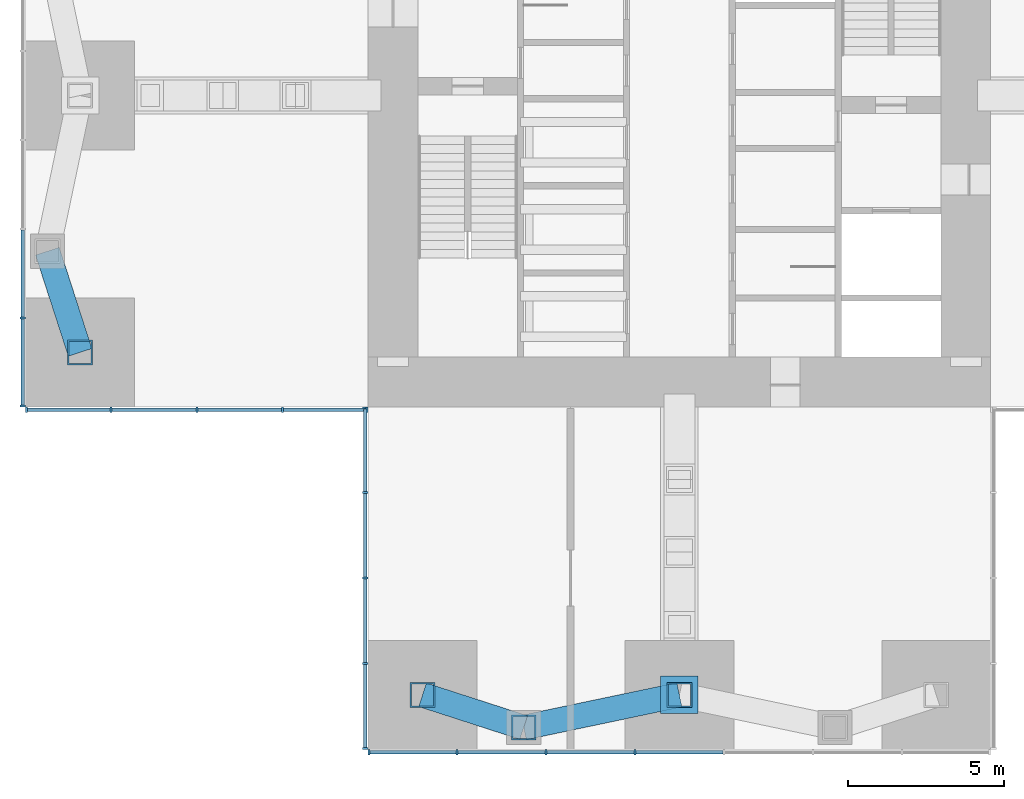
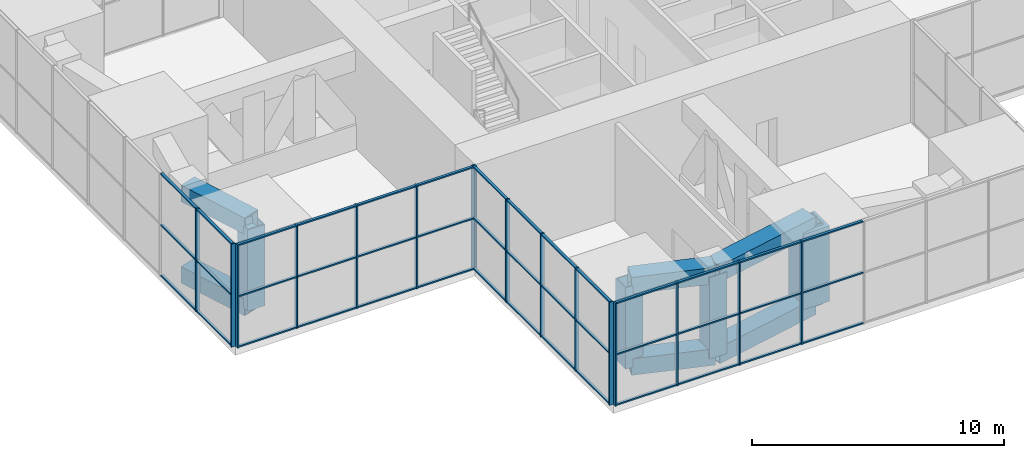
# One storey, part 2 of 12: 69 members, 4 elements without a shape of their own.
"""IFC4 building model written with IfcOpenShell, lengths in metres."""

from ifc_helpers import new_model, si_unit, direction, frame, origin, origin_2d, place, context, subcontext, project, spatial, rectangle, hollow_rectangle, extrude, material, material_profile, profile_set, type_object, element, aggregate, save


model = new_model("IFC4")

# Units and contexts
model_context = context("Model", 3, precision=1e-05, world=origin(), true_north=direction((0.0, 1.0)))
body_context = subcontext(model_context, "Body", "Model", "MODEL_VIEW")
ifc_project = project(units=[si_unit("LENGTHUNIT", "METRE"), si_unit("AREAUNIT", "SQUARE_METRE"), si_unit("VOLUMEUNIT", "CUBIC_METRE"), si_unit("PLANEANGLEUNIT", "RADIAN"), si_unit("MASSUNIT", "GRAM", prefix="KILO")], contexts=[model_context])

# Site, building, storey
site_placement = place(None, origin())
site = spatial("IfcSite", under=ifc_project, at=site_placement, CompositionType="ELEMENT")
building_placement = place(site_placement, origin())
building = spatial("IfcBuilding", under=site, at=building_placement, Name="Svetlomir Tower", CompositionType="ELEMENT")
storey_placement = place(building_placement, frame((0.0, 0.0, 160.5)))
storey = spatial("IfcBuildingStorey", under=building, at=storey_placement, Name="L38", CompositionType="ELEMENT", Elevation=160.5)

# Members
ifc_material_1 = material(Name="Steel S355", Category="steel")
ifc_material_profile_1 = material_profile(ifc_material_1, hollow_rectangle(XDim=0.800048828125, YDim=0.800048828125, WallThickness=0.050048828125, at=origin_2d()), Name="BOX 800x800x50")
ifc_profile_set_1 = profile_set([ifc_material_profile_1], Name="Steel S355")
member_type_1 = type_object("IfcMemberType", Name="BELT FRAME CHORD BOX 800x800x50", PredefinedType="CHORD", material=ifc_profile_set_1)
for number, where, z_axis, x_axis, name in (
    (1, (12.75, 1.75, 0.39990234375), (0.951566360503, -0.307443428225, 0.0), (0.307443428225, 0.951566360503, 0.0), "Belt frame S L38 bottom chord 1"),
    (2, (12.75, 1.75, 4.35009765625), (0.951566360503, -0.307443428225, 0.0), (0.307443428225, 0.951566360503, 0.0), "Belt frame S L38 top chord 1"),
):
    element("IfcMember", number, at=place(storey_placement, frame(where, z_axis=z_axis, x_axis=x_axis)), inside=storey, type_object=member_type_1, Name=name, PredefinedType="CHORD", context=body_context, shape_type="SweptSolid", body=[
        extrude(hollow_rectangle(XDim=0.800048828125, YDim=0.800048828125, WallThickness=0.050048828125, at=origin_2d()), origin(), (0.0, 0.0, 1.0), 3.41552734375),
    ])
for number, where, z_axis, x_axis, name in (
    (3, (16.0, 0.699951171875, 0.39990234375), (0.978651574329, 0.205526387753, 0.0), (-0.205526387753, 0.978651574329, 0.0), "Belt frame S L38 bottom chord 2"),
    (4, (16.0, 0.699951171875, 4.35009765625), (0.978651574329, 0.205526387753, 0.0), (-0.205526387753, 0.978651574329, 0.0), "Belt frame S L38 top chord 2"),
):
    element("IfcMember", number, at=place(storey_placement, frame(where, z_axis=z_axis, x_axis=x_axis)), inside=storey, type_object=member_type_1, Name=name, PredefinedType="CHORD", context=body_context, shape_type="SweptSolid", body=[
        extrude(hollow_rectangle(XDim=0.800048828125, YDim=0.800048828125, WallThickness=0.050048828125, at=origin_2d()), origin(), (0.0, 0.0, 1.0), 5.109130859375),
    ])
for number, where, z_axis, x_axis, name in (
    (5, (1.75, 12.75, 0.39990234375), (-0.307443428225, 0.951566360503, 0.0), (-0.951566360503, -0.307443428225, 0.0), "Belt frame W L38 bottom chord 1"),
    (6, (1.75, 12.75, 4.35009765625), (-0.307443428225, 0.951566360503, 0.0), (-0.951566360503, -0.307443428225, 0.0), "Belt frame W L38 top chord 1"),
):
    element("IfcMember", number, at=place(storey_placement, frame(where, z_axis=z_axis, x_axis=x_axis)), inside=storey, type_object=member_type_1, Name=name, PredefinedType="CHORD", context=body_context, shape_type="SweptSolid", body=[
        extrude(hollow_rectangle(XDim=0.800048828125, YDim=0.800048828125, WallThickness=0.050048828125, at=origin_2d()), origin(), (0.0, 0.0, 1.0), 3.41552734375),
    ])
ifc_material_2 = material(Name="Steel S355", Category="steel")
ifc_material_profile_2 = material_profile(ifc_material_2, hollow_rectangle(XDim=0.800048828125, YDim=0.800048828125, WallThickness=0.050048828125, at=origin_2d()), Name="BOX 800x800x50")
ifc_profile_set_2 = profile_set([ifc_material_profile_2], Name="Steel S355")
member_type_2 = type_object("IfcMemberType", Name="BELT FRAME POST BOX 800x800x50", PredefinedType="POST", material=ifc_profile_set_2)
for number, where, z_axis, x_axis, name in (
    (7, (12.75, 1.75, 0.39990234375), (0.0, 0.0, 1.0), (1.0, 0.0, 0.0), "Belt frame S L38 post 1"),
    (8, (16.0, 0.699951171875, 0.39990234375), (0.0, 0.0, 1.0), (1.0, 0.0, 0.0), "Belt frame S L38 post 2"),
    (9, (21.0, 1.75, 0.39990234375), (0.0, 0.0, 1.0), (1.0, 0.0, 0.0), "Belt frame S L38 post 3"),
    (10, (1.75, 12.75, 0.39990234375), (0.0, 0.0, 1.0), (1.0, 0.0, 0.0), "Belt frame W L38 post 1"),
):
    element("IfcMember", number, at=place(storey_placement, frame(where, z_axis=z_axis, x_axis=x_axis)), inside=storey, type_object=member_type_2, Name=name, PredefinedType="POST", context=body_context, shape_type="SweptSolid", body=[
        extrude(hollow_rectangle(XDim=0.800048828125, YDim=0.800048828125, WallThickness=0.050048828125, at=origin_2d()), origin(), (0.0, 0.0, 1.0), 3.9501953125),
    ])

# Curtain wall, members
ifc_material_3 = material(Name="Bronze anodised aluminium curtain wall", Category="aluminium")
curtain_wall_type = type_object("IfcCurtainWallType", Name="CURTAIN WALL CW3 PLANT LOUVRE", PredefinedType="NOTDEFINED", material=ifc_material_3)
curtain_wall_1_placement = place(storey_placement, origin())
curtain_wall_1 = element("IfcCurtainWall", 11, at=curtain_wall_1_placement, inside=storey, type_object=curtain_wall_type, Name="Curtain wall CW3 L38", PredefinedType="NOTDEFINED")
ifc_material_4 = material(Name="Bronze anodised aluminium", Category="aluminium")
ifc_material_profile_3 = material_profile(ifc_material_4, rectangle(XDim=0.06494140625, YDim=0.179931640625, at=origin_2d()), Name="AL 65x180")
ifc_profile_set_3 = profile_set([ifc_material_profile_3], Name="Bronze anodised aluminium 6063-T6")
member_type_3 = type_object("IfcMemberType", Name="CW3 MULLION 65x180", PredefinedType="MULLION", material=ifc_profile_set_3)
member_1_placement = place(storey_placement, frame((11.032470703125, -0.090087890625, 0.0), z_axis=(0.0, 0.0, 1.0), x_axis=(1.0, 0.0, 0.0)))
member_1 = element("IfcMember", 12, at=member_1_placement, type_object=member_type_3, Name="CW3 mullion 1", PredefinedType="MULLION", context=body_context, shape_type="SweptSolid", body=[
    extrude(rectangle(XDim=0.06494140625, YDim=0.179931640625, at=origin_2d()), origin(), (0.0, 0.0, 1.0), 5.0),
])
member_2_placement = place(storey_placement, frame((13.857177734375, -0.090087890625, 0.0), z_axis=(0.0, 0.0, 1.0), x_axis=(1.0, 0.0, 0.0)))
member_2 = element("IfcMember", 13, at=member_2_placement, type_object=member_type_3, Name="CW3 mullion 2", PredefinedType="MULLION", context=body_context, shape_type="SweptSolid", body=[
    extrude(rectangle(XDim=0.06494140625, YDim=0.179931640625, at=origin_2d()), origin(), (0.0, 0.0, 1.0), 5.0),
])
member_3_placement = place(storey_placement, frame((16.71435546875, -0.090087890625, 0.0), z_axis=(0.0, 0.0, 1.0), x_axis=(1.0, 0.0, 0.0)))
member_3 = element("IfcMember", 14, at=member_3_placement, type_object=member_type_3, Name="CW3 mullion 3", PredefinedType="MULLION", context=body_context, shape_type="SweptSolid", body=[
    extrude(rectangle(XDim=0.06494140625, YDim=0.179931640625, at=origin_2d()), origin(), (0.0, 0.0, 1.0), 5.0),
])
member_4_placement = place(storey_placement, frame((19.571533203125, -0.090087890625, 0.0), z_axis=(0.0, 0.0, 1.0), x_axis=(1.0, 0.0, 0.0)))
member_4 = element("IfcMember", 15, at=member_4_placement, type_object=member_type_3, Name="CW3 mullion 4", PredefinedType="MULLION", context=body_context, shape_type="SweptSolid", body=[
    extrude(rectangle(XDim=0.06494140625, YDim=0.179931640625, at=origin_2d()), origin(), (0.0, 0.0, 1.0), 5.0),
])

curtain_wall_2_placement = place(storey_placement, origin())
curtain_wall_2 = element("IfcCurtainWall", 16, at=curtain_wall_2_placement, inside=storey, type_object=curtain_wall_type, Name="Curtain wall CW3 L38", PredefinedType="NOTDEFINED")
member_5_placement = place(storey_placement, frame((-0.090087890625, 13.857177734375, 0.0), z_axis=(0.0, 0.0, 1.0), x_axis=(0.0, -1.0, 0.0)))
member_5 = element("IfcMember", 17, at=member_5_placement, type_object=member_type_3, Name="CW3 mullion 7", PredefinedType="MULLION", context=body_context, shape_type="SweptSolid", body=[
    extrude(rectangle(XDim=0.06494140625, YDim=0.179931640625, at=origin_2d()), origin(), (0.0, 0.0, 1.0), 5.0),
])
member_6_placement = place(storey_placement, frame((-0.090087890625, 11.032470703125, 0.0), z_axis=(0.0, 0.0, 1.0), x_axis=(0.0, -1.0, 0.0)))
member_6 = element("IfcMember", 18, at=member_6_placement, type_object=member_type_3, Name="CW3 mullion 8", PredefinedType="MULLION", context=body_context, shape_type="SweptSolid", body=[
    extrude(rectangle(XDim=0.06494140625, YDim=0.179931640625, at=origin_2d()), origin(), (0.0, 0.0, 1.0), 5.0),
])

curtain_wall_3_placement = place(storey_placement, origin())
curtain_wall_3 = element("IfcCurtainWall", 19, at=curtain_wall_3_placement, inside=storey, type_object=curtain_wall_type, Name="Curtain wall CW3 L38", PredefinedType="NOTDEFINED")
member_7_placement = place(storey_placement, frame((0.032470703125, 10.909912109375, 0.0), z_axis=(0.0, 0.0, 1.0), x_axis=(1.0, 0.0, 0.0)))
member_7 = element("IfcMember", 20, at=member_7_placement, type_object=member_type_3, Name="CW3 mullion 1", PredefinedType="MULLION", context=body_context, shape_type="SweptSolid", body=[
    extrude(rectangle(XDim=0.06494140625, YDim=0.179931640625, at=origin_2d()), origin(), (0.0, 0.0, 1.0), 5.0),
])
member_8_placement = place(storey_placement, frame((2.75, 10.909912109375, 0.0), z_axis=(0.0, 0.0, 1.0), x_axis=(1.0, 0.0, 0.0)))
member_8 = element("IfcMember", 21, at=member_8_placement, type_object=member_type_3, Name="CW3 mullion 2", PredefinedType="MULLION", context=body_context, shape_type="SweptSolid", body=[
    extrude(rectangle(XDim=0.06494140625, YDim=0.179931640625, at=origin_2d()), origin(), (0.0, 0.0, 1.0), 5.0),
])
member_9_placement = place(storey_placement, frame((5.5, 10.909912109375, 0.0), z_axis=(0.0, 0.0, 1.0), x_axis=(1.0, 0.0, 0.0)))
member_9 = element("IfcMember", 22, at=member_9_placement, type_object=member_type_3, Name="CW3 mullion 3", PredefinedType="MULLION", context=body_context, shape_type="SweptSolid", body=[
    extrude(rectangle(XDim=0.06494140625, YDim=0.179931640625, at=origin_2d()), origin(), (0.0, 0.0, 1.0), 5.0),
])
member_10_placement = place(storey_placement, frame((8.25, 10.909912109375, 0.0), z_axis=(0.0, 0.0, 1.0), x_axis=(1.0, 0.0, 0.0)))
member_10 = element("IfcMember", 23, at=member_10_placement, type_object=member_type_3, Name="CW3 mullion 4", PredefinedType="MULLION", context=body_context, shape_type="SweptSolid", body=[
    extrude(rectangle(XDim=0.06494140625, YDim=0.179931640625, at=origin_2d()), origin(), (0.0, 0.0, 1.0), 5.0),
])
member_11_placement = place(storey_placement, frame((10.967529296875, 10.909912109375, 0.0), z_axis=(0.0, 0.0, 1.0), x_axis=(1.0, 0.0, 0.0)))
member_11 = element("IfcMember", 24, at=member_11_placement, type_object=member_type_3, Name="CW3 mullion 5", PredefinedType="MULLION", context=body_context, shape_type="SweptSolid", body=[
    extrude(rectangle(XDim=0.06494140625, YDim=0.179931640625, at=origin_2d()), origin(), (0.0, 0.0, 1.0), 5.0),
])

curtain_wall_4_placement = place(storey_placement, origin())
curtain_wall_4 = element("IfcCurtainWall", 25, at=curtain_wall_4_placement, inside=storey, type_object=curtain_wall_type, Name="Curtain wall CW3 L38", PredefinedType="NOTDEFINED")
member_12_placement = place(storey_placement, frame((10.909912109375, 10.967529296875, 0.0), z_axis=(0.0, 0.0, 1.0), x_axis=(0.0, -1.0, 0.0)))
member_12 = element("IfcMember", 26, at=member_12_placement, type_object=member_type_3, Name="CW3 mullion 1", PredefinedType="MULLION", context=body_context, shape_type="SweptSolid", body=[
    extrude(rectangle(XDim=0.06494140625, YDim=0.179931640625, at=origin_2d()), origin(), (0.0, 0.0, 1.0), 5.0),
])
member_13_placement = place(storey_placement, frame((10.909912109375, 8.25, 0.0), z_axis=(0.0, 0.0, 1.0), x_axis=(0.0, -1.0, 0.0)))
member_13 = element("IfcMember", 27, at=member_13_placement, type_object=member_type_3, Name="CW3 mullion 2", PredefinedType="MULLION", context=body_context, shape_type="SweptSolid", body=[
    extrude(rectangle(XDim=0.06494140625, YDim=0.179931640625, at=origin_2d()), origin(), (0.0, 0.0, 1.0), 5.0),
])
member_14_placement = place(storey_placement, frame((10.909912109375, 5.5, 0.0), z_axis=(0.0, 0.0, 1.0), x_axis=(0.0, -1.0, 0.0)))
member_14 = element("IfcMember", 28, at=member_14_placement, type_object=member_type_3, Name="CW3 mullion 3", PredefinedType="MULLION", context=body_context, shape_type="SweptSolid", body=[
    extrude(rectangle(XDim=0.06494140625, YDim=0.179931640625, at=origin_2d()), origin(), (0.0, 0.0, 1.0), 5.0),
])
member_15_placement = place(storey_placement, frame((10.909912109375, 2.75, 0.0), z_axis=(0.0, 0.0, 1.0), x_axis=(0.0, -1.0, 0.0)))
member_15 = element("IfcMember", 29, at=member_15_placement, type_object=member_type_3, Name="CW3 mullion 4", PredefinedType="MULLION", context=body_context, shape_type="SweptSolid", body=[
    extrude(rectangle(XDim=0.06494140625, YDim=0.179931640625, at=origin_2d()), origin(), (0.0, 0.0, 1.0), 5.0),
])
member_16_placement = place(storey_placement, frame((10.909912109375, 0.032470703125, 0.0), z_axis=(0.0, 0.0, 1.0), x_axis=(0.0, -1.0, 0.0)))
member_16 = element("IfcMember", 30, at=member_16_placement, type_object=member_type_3, Name="CW3 mullion 5", PredefinedType="MULLION", context=body_context, shape_type="SweptSolid", body=[
    extrude(rectangle(XDim=0.06494140625, YDim=0.179931640625, at=origin_2d()), origin(), (0.0, 0.0, 1.0), 5.0),
])

# Member
ifc_material_5 = material(Name="Bronze anodised aluminium", Category="aluminium")
ifc_material_profile_4 = material_profile(ifc_material_5, rectangle(XDim=0.1201171875, YDim=0.06494140625, at=origin_2d()), Name="AL 120x65")
ifc_profile_set_4 = profile_set([ifc_material_profile_4], Name="Bronze anodised aluminium 6063-T6")
member_type_4 = type_object("IfcMemberType", Name="CW3 TRANSOM 65x120", PredefinedType="USERDEFINED", material=ifc_profile_set_4)
member_17_placement = place(storey_placement, frame((11.06494140625, -0.090087890625, 0.032470703125), z_axis=(1.0, 0.0, 0.0), x_axis=(0.0, 1.0, 0.0)))
member_17 = element("IfcMember", 31, at=member_17_placement, type_object=member_type_4, Name="CW3 transom 1.1", ObjectType="TRANSOM", PredefinedType="USERDEFINED", context=body_context, shape_type="SweptSolid", body=[
    extrude(rectangle(XDim=0.1201171875, YDim=0.06494140625, at=origin_2d()), origin(), (0.0, 0.0, 1.0), 2.759765625),
])

member_18_placement = place(storey_placement, frame((11.06494140625, -0.090087890625, 2.483642578125), z_axis=(1.0, 0.0, 0.0), x_axis=(0.0, 1.0, 0.0)))
member_18 = element("IfcMember", 32, at=member_18_placement, type_object=member_type_4, Name="CW3 transom 1.2", ObjectType="TRANSOM", PredefinedType="USERDEFINED", context=body_context, shape_type="SweptSolid", body=[
    extrude(rectangle(XDim=0.1201171875, YDim=0.06494140625, at=origin_2d()), origin(), (0.0, 0.0, 1.0), 2.759765625),
])

member_19_placement = place(storey_placement, frame((11.06494140625, -0.090087890625, 4.967529296875), z_axis=(1.0, 0.0, 0.0), x_axis=(0.0, 1.0, 0.0)))
member_19 = element("IfcMember", 33, at=member_19_placement, type_object=member_type_4, Name="CW3 transom 1.3", ObjectType="TRANSOM", PredefinedType="USERDEFINED", context=body_context, shape_type="SweptSolid", body=[
    extrude(rectangle(XDim=0.1201171875, YDim=0.06494140625, at=origin_2d()), origin(), (0.0, 0.0, 1.0), 2.759765625),
])

member_20_placement = place(storey_placement, frame((13.8896484375, -0.090087890625, 0.032470703125), z_axis=(1.0, 0.0, 0.0), x_axis=(0.0, 1.0, 0.0)))
member_20 = element("IfcMember", 34, at=member_20_placement, type_object=member_type_4, Name="CW3 transom 2.1", ObjectType="TRANSOM", PredefinedType="USERDEFINED", context=body_context, shape_type="SweptSolid", body=[
    extrude(rectangle(XDim=0.1201171875, YDim=0.06494140625, at=origin_2d()), origin(), (0.0, 0.0, 1.0), 2.792236328125),
])

member_21_placement = place(storey_placement, frame((13.8896484375, -0.090087890625, 2.483642578125), z_axis=(1.0, 0.0, 0.0), x_axis=(0.0, 1.0, 0.0)))
member_21 = element("IfcMember", 35, at=member_21_placement, type_object=member_type_4, Name="CW3 transom 2.2", ObjectType="TRANSOM", PredefinedType="USERDEFINED", context=body_context, shape_type="SweptSolid", body=[
    extrude(rectangle(XDim=0.1201171875, YDim=0.06494140625, at=origin_2d()), origin(), (0.0, 0.0, 1.0), 2.792236328125),
])

member_22_placement = place(storey_placement, frame((13.8896484375, -0.090087890625, 4.967529296875), z_axis=(1.0, 0.0, 0.0), x_axis=(0.0, 1.0, 0.0)))
member_22 = element("IfcMember", 36, at=member_22_placement, type_object=member_type_4, Name="CW3 transom 2.3", ObjectType="TRANSOM", PredefinedType="USERDEFINED", context=body_context, shape_type="SweptSolid", body=[
    extrude(rectangle(XDim=0.1201171875, YDim=0.06494140625, at=origin_2d()), origin(), (0.0, 0.0, 1.0), 2.792236328125),
])

member_23_placement = place(storey_placement, frame((16.746826171875, -0.090087890625, 0.032470703125), z_axis=(1.0, 0.0, 0.0), x_axis=(0.0, 1.0, 0.0)))
member_23 = element("IfcMember", 37, at=member_23_placement, type_object=member_type_4, Name="CW3 transom 3.1", ObjectType="TRANSOM", PredefinedType="USERDEFINED", context=body_context, shape_type="SweptSolid", body=[
    extrude(rectangle(XDim=0.1201171875, YDim=0.06494140625, at=origin_2d()), origin(), (0.0, 0.0, 1.0), 2.7919921875),
])

member_24_placement = place(storey_placement, frame((16.746826171875, -0.090087890625, 2.483642578125), z_axis=(1.0, 0.0, 0.0), x_axis=(0.0, 1.0, 0.0)))
member_24 = element("IfcMember", 38, at=member_24_placement, type_object=member_type_4, Name="CW3 transom 3.2", ObjectType="TRANSOM", PredefinedType="USERDEFINED", context=body_context, shape_type="SweptSolid", body=[
    extrude(rectangle(XDim=0.1201171875, YDim=0.06494140625, at=origin_2d()), origin(), (0.0, 0.0, 1.0), 2.7919921875),
])

member_25_placement = place(storey_placement, frame((16.746826171875, -0.090087890625, 4.967529296875), z_axis=(1.0, 0.0, 0.0), x_axis=(0.0, 1.0, 0.0)))
member_25 = element("IfcMember", 39, at=member_25_placement, type_object=member_type_4, Name="CW3 transom 3.3", ObjectType="TRANSOM", PredefinedType="USERDEFINED", context=body_context, shape_type="SweptSolid", body=[
    extrude(rectangle(XDim=0.1201171875, YDim=0.06494140625, at=origin_2d()), origin(), (0.0, 0.0, 1.0), 2.7919921875),
])

member_26_placement = place(storey_placement, frame((19.60400390625, -0.090087890625, 0.032470703125), z_axis=(1.0, 0.0, 0.0), x_axis=(0.0, 1.0, 0.0)))
member_26 = element("IfcMember", 40, at=member_26_placement, type_object=member_type_4, Name="CW3 transom 4.1", ObjectType="TRANSOM", PredefinedType="USERDEFINED", context=body_context, shape_type="SweptSolid", body=[
    extrude(rectangle(XDim=0.1201171875, YDim=0.06494140625, at=origin_2d()), origin(), (0.0, 0.0, 1.0), 2.7919921875),
])

member_27_placement = place(storey_placement, frame((19.60400390625, -0.090087890625, 2.483642578125), z_axis=(1.0, 0.0, 0.0), x_axis=(0.0, 1.0, 0.0)))
member_27 = element("IfcMember", 41, at=member_27_placement, type_object=member_type_4, Name="CW3 transom 4.2", ObjectType="TRANSOM", PredefinedType="USERDEFINED", context=body_context, shape_type="SweptSolid", body=[
    extrude(rectangle(XDim=0.1201171875, YDim=0.06494140625, at=origin_2d()), origin(), (0.0, 0.0, 1.0), 2.7919921875),
])

member_28_placement = place(storey_placement, frame((19.60400390625, -0.090087890625, 4.967529296875), z_axis=(1.0, 0.0, 0.0), x_axis=(0.0, 1.0, 0.0)))
member_28 = element("IfcMember", 42, at=member_28_placement, type_object=member_type_4, Name="CW3 transom 4.3", ObjectType="TRANSOM", PredefinedType="USERDEFINED", context=body_context, shape_type="SweptSolid", body=[
    extrude(rectangle(XDim=0.1201171875, YDim=0.06494140625, at=origin_2d()), origin(), (0.0, 0.0, 1.0), 2.7919921875),
])

aggregate(curtain_wall_1, [member_1, member_2, member_3, member_4, member_17, member_18, member_19, member_20, member_21, member_22, member_23, member_24, member_25, member_26, member_27, member_28])

member_29_placement = place(storey_placement, frame((-0.090087890625, 16.681884765625, 0.032470703125), z_axis=(0.0, -1.0, 0.0), x_axis=(1.0, 0.0, 0.0)))
member_29 = element("IfcMember", 43, at=member_29_placement, type_object=member_type_4, Name="CW3 transom 6.1", ObjectType="TRANSOM", PredefinedType="USERDEFINED", context=body_context, shape_type="SweptSolid", body=[
    extrude(rectangle(XDim=0.1201171875, YDim=0.06494140625, at=origin_2d()), origin(), (0.0, 0.0, 1.0), 2.792236328125),
])

member_30_placement = place(storey_placement, frame((-0.090087890625, 16.681884765625, 2.483642578125), z_axis=(0.0, -1.0, 0.0), x_axis=(1.0, 0.0, 0.0)))
member_30 = element("IfcMember", 44, at=member_30_placement, type_object=member_type_4, Name="CW3 transom 6.2", ObjectType="TRANSOM", PredefinedType="USERDEFINED", context=body_context, shape_type="SweptSolid", body=[
    extrude(rectangle(XDim=0.1201171875, YDim=0.06494140625, at=origin_2d()), origin(), (0.0, 0.0, 1.0), 2.792236328125),
])

member_31_placement = place(storey_placement, frame((-0.090087890625, 16.681884765625, 4.967529296875), z_axis=(0.0, -1.0, 0.0), x_axis=(1.0, 0.0, 0.0)))
member_31 = element("IfcMember", 45, at=member_31_placement, type_object=member_type_4, Name="CW3 transom 6.3", ObjectType="TRANSOM", PredefinedType="USERDEFINED", context=body_context, shape_type="SweptSolid", body=[
    extrude(rectangle(XDim=0.1201171875, YDim=0.06494140625, at=origin_2d()), origin(), (0.0, 0.0, 1.0), 2.792236328125),
])

member_32_placement = place(storey_placement, frame((-0.090087890625, 13.82470703125, 0.032470703125), z_axis=(0.0, -1.0, 0.0), x_axis=(1.0, 0.0, 0.0)))
member_32 = element("IfcMember", 46, at=member_32_placement, type_object=member_type_4, Name="CW3 transom 7.1", ObjectType="TRANSOM", PredefinedType="USERDEFINED", context=body_context, shape_type="SweptSolid", body=[
    extrude(rectangle(XDim=0.1201171875, YDim=0.06494140625, at=origin_2d()), origin(), (0.0, 0.0, 1.0), 2.759765625),
])

member_33_placement = place(storey_placement, frame((-0.090087890625, 13.82470703125, 2.483642578125), z_axis=(0.0, -1.0, 0.0), x_axis=(1.0, 0.0, 0.0)))
member_33 = element("IfcMember", 47, at=member_33_placement, type_object=member_type_4, Name="CW3 transom 7.2", ObjectType="TRANSOM", PredefinedType="USERDEFINED", context=body_context, shape_type="SweptSolid", body=[
    extrude(rectangle(XDim=0.1201171875, YDim=0.06494140625, at=origin_2d()), origin(), (0.0, 0.0, 1.0), 2.759765625),
])

member_34_placement = place(storey_placement, frame((-0.090087890625, 13.82470703125, 4.967529296875), z_axis=(0.0, -1.0, 0.0), x_axis=(1.0, 0.0, 0.0)))
member_34 = element("IfcMember", 48, at=member_34_placement, type_object=member_type_4, Name="CW3 transom 7.3", ObjectType="TRANSOM", PredefinedType="USERDEFINED", context=body_context, shape_type="SweptSolid", body=[
    extrude(rectangle(XDim=0.1201171875, YDim=0.06494140625, at=origin_2d()), origin(), (0.0, 0.0, 1.0), 2.759765625),
])

aggregate(curtain_wall_2, [member_5, member_6, member_29, member_30, member_31, member_32, member_33, member_34])

member_35_placement = place(storey_placement, frame((0.06494140625, 10.909912109375, 0.032470703125), z_axis=(1.0, 0.0, 0.0), x_axis=(0.0, 1.0, 0.0)))
member_35 = element("IfcMember", 49, at=member_35_placement, type_object=member_type_4, Name="CW3 transom 1.1", ObjectType="TRANSOM", PredefinedType="USERDEFINED", context=body_context, shape_type="SweptSolid", body=[
    extrude(rectangle(XDim=0.1201171875, YDim=0.06494140625, at=origin_2d()), origin(), (0.0, 0.0, 1.0), 2.652587890625),
])

member_36_placement = place(storey_placement, frame((0.06494140625, 10.909912109375, 2.483642578125), z_axis=(1.0, 0.0, 0.0), x_axis=(0.0, 1.0, 0.0)))
member_36 = element("IfcMember", 50, at=member_36_placement, type_object=member_type_4, Name="CW3 transom 1.2", ObjectType="TRANSOM", PredefinedType="USERDEFINED", context=body_context, shape_type="SweptSolid", body=[
    extrude(rectangle(XDim=0.1201171875, YDim=0.06494140625, at=origin_2d()), origin(), (0.0, 0.0, 1.0), 2.652587890625),
])

member_37_placement = place(storey_placement, frame((0.06494140625, 10.909912109375, 4.967529296875), z_axis=(1.0, 0.0, 0.0), x_axis=(0.0, 1.0, 0.0)))
member_37 = element("IfcMember", 51, at=member_37_placement, type_object=member_type_4, Name="CW3 transom 1.3", ObjectType="TRANSOM", PredefinedType="USERDEFINED", context=body_context, shape_type="SweptSolid", body=[
    extrude(rectangle(XDim=0.1201171875, YDim=0.06494140625, at=origin_2d()), origin(), (0.0, 0.0, 1.0), 2.652587890625),
])

member_38_placement = place(storey_placement, frame((2.782470703125, 10.909912109375, 0.032470703125), z_axis=(1.0, 0.0, 0.0), x_axis=(0.0, 1.0, 0.0)))
member_38 = element("IfcMember", 52, at=member_38_placement, type_object=member_type_4, Name="CW3 transom 2.1", ObjectType="TRANSOM", PredefinedType="USERDEFINED", context=body_context, shape_type="SweptSolid", body=[
    extrude(rectangle(XDim=0.1201171875, YDim=0.06494140625, at=origin_2d()), origin(), (0.0, 0.0, 1.0), 2.68505859375),
])

member_39_placement = place(storey_placement, frame((2.782470703125, 10.909912109375, 2.483642578125), z_axis=(1.0, 0.0, 0.0), x_axis=(0.0, 1.0, 0.0)))
member_39 = element("IfcMember", 53, at=member_39_placement, type_object=member_type_4, Name="CW3 transom 2.2", ObjectType="TRANSOM", PredefinedType="USERDEFINED", context=body_context, shape_type="SweptSolid", body=[
    extrude(rectangle(XDim=0.1201171875, YDim=0.06494140625, at=origin_2d()), origin(), (0.0, 0.0, 1.0), 2.68505859375),
])

member_40_placement = place(storey_placement, frame((2.782470703125, 10.909912109375, 4.967529296875), z_axis=(1.0, 0.0, 0.0), x_axis=(0.0, 1.0, 0.0)))
member_40 = element("IfcMember", 54, at=member_40_placement, type_object=member_type_4, Name="CW3 transom 2.3", ObjectType="TRANSOM", PredefinedType="USERDEFINED", context=body_context, shape_type="SweptSolid", body=[
    extrude(rectangle(XDim=0.1201171875, YDim=0.06494140625, at=origin_2d()), origin(), (0.0, 0.0, 1.0), 2.68505859375),
])

member_41_placement = place(storey_placement, frame((5.532470703125, 10.909912109375, 0.032470703125), z_axis=(1.0, 0.0, 0.0), x_axis=(0.0, 1.0, 0.0)))
member_41 = element("IfcMember", 55, at=member_41_placement, type_object=member_type_4, Name="CW3 transom 3.1", ObjectType="TRANSOM", PredefinedType="USERDEFINED", context=body_context, shape_type="SweptSolid", body=[
    extrude(rectangle(XDim=0.1201171875, YDim=0.06494140625, at=origin_2d()), origin(), (0.0, 0.0, 1.0), 2.68505859375),
])

member_42_placement = place(storey_placement, frame((5.532470703125, 10.909912109375, 2.483642578125), z_axis=(1.0, 0.0, 0.0), x_axis=(0.0, 1.0, 0.0)))
member_42 = element("IfcMember", 56, at=member_42_placement, type_object=member_type_4, Name="CW3 transom 3.2", ObjectType="TRANSOM", PredefinedType="USERDEFINED", context=body_context, shape_type="SweptSolid", body=[
    extrude(rectangle(XDim=0.1201171875, YDim=0.06494140625, at=origin_2d()), origin(), (0.0, 0.0, 1.0), 2.68505859375),
])

member_43_placement = place(storey_placement, frame((5.532470703125, 10.909912109375, 4.967529296875), z_axis=(1.0, 0.0, 0.0), x_axis=(0.0, 1.0, 0.0)))
member_43 = element("IfcMember", 57, at=member_43_placement, type_object=member_type_4, Name="CW3 transom 3.3", ObjectType="TRANSOM", PredefinedType="USERDEFINED", context=body_context, shape_type="SweptSolid", body=[
    extrude(rectangle(XDim=0.1201171875, YDim=0.06494140625, at=origin_2d()), origin(), (0.0, 0.0, 1.0), 2.68505859375),
])

member_44_placement = place(storey_placement, frame((8.282470703125, 10.909912109375, 0.032470703125), z_axis=(1.0, 0.0, 0.0), x_axis=(0.0, 1.0, 0.0)))
member_44 = element("IfcMember", 58, at=member_44_placement, type_object=member_type_4, Name="CW3 transom 4.1", ObjectType="TRANSOM", PredefinedType="USERDEFINED", context=body_context, shape_type="SweptSolid", body=[
    extrude(rectangle(XDim=0.1201171875, YDim=0.06494140625, at=origin_2d()), origin(), (0.0, 0.0, 1.0), 2.652587890625),
])

member_45_placement = place(storey_placement, frame((8.282470703125, 10.909912109375, 2.483642578125), z_axis=(1.0, 0.0, 0.0), x_axis=(0.0, 1.0, 0.0)))
member_45 = element("IfcMember", 59, at=member_45_placement, type_object=member_type_4, Name="CW3 transom 4.2", ObjectType="TRANSOM", PredefinedType="USERDEFINED", context=body_context, shape_type="SweptSolid", body=[
    extrude(rectangle(XDim=0.1201171875, YDim=0.06494140625, at=origin_2d()), origin(), (0.0, 0.0, 1.0), 2.652587890625),
])

member_46_placement = place(storey_placement, frame((8.282470703125, 10.909912109375, 4.967529296875), z_axis=(1.0, 0.0, 0.0), x_axis=(0.0, 1.0, 0.0)))
member_46 = element("IfcMember", 60, at=member_46_placement, type_object=member_type_4, Name="CW3 transom 4.3", ObjectType="TRANSOM", PredefinedType="USERDEFINED", context=body_context, shape_type="SweptSolid", body=[
    extrude(rectangle(XDim=0.1201171875, YDim=0.06494140625, at=origin_2d()), origin(), (0.0, 0.0, 1.0), 2.652587890625),
])

aggregate(curtain_wall_3, [member_7, member_8, member_9, member_10, member_11, member_35, member_36, member_37, member_38, member_39, member_40, member_41, member_42, member_43, member_44, member_45, member_46])

member_47_placement = place(storey_placement, frame((10.909912109375, 10.93505859375, 0.032470703125), z_axis=(0.0, -1.0, 0.0), x_axis=(1.0, 0.0, 0.0)))
member_47 = element("IfcMember", 61, at=member_47_placement, type_object=member_type_4, Name="CW3 transom 1.1", ObjectType="TRANSOM", PredefinedType="USERDEFINED", context=body_context, shape_type="SweptSolid", body=[
    extrude(rectangle(XDim=0.1201171875, YDim=0.06494140625, at=origin_2d()), origin(), (0.0, 0.0, 1.0), 2.652587890625),
])

member_48_placement = place(storey_placement, frame((10.909912109375, 10.93505859375, 2.483642578125), z_axis=(0.0, -1.0, 0.0), x_axis=(1.0, 0.0, 0.0)))
member_48 = element("IfcMember", 62, at=member_48_placement, type_object=member_type_4, Name="CW3 transom 1.2", ObjectType="TRANSOM", PredefinedType="USERDEFINED", context=body_context, shape_type="SweptSolid", body=[
    extrude(rectangle(XDim=0.1201171875, YDim=0.06494140625, at=origin_2d()), origin(), (0.0, 0.0, 1.0), 2.652587890625),
])

member_49_placement = place(storey_placement, frame((10.909912109375, 10.93505859375, 4.967529296875), z_axis=(0.0, -1.0, 0.0), x_axis=(1.0, 0.0, 0.0)))
member_49 = element("IfcMember", 63, at=member_49_placement, type_object=member_type_4, Name="CW3 transom 1.3", ObjectType="TRANSOM", PredefinedType="USERDEFINED", context=body_context, shape_type="SweptSolid", body=[
    extrude(rectangle(XDim=0.1201171875, YDim=0.06494140625, at=origin_2d()), origin(), (0.0, 0.0, 1.0), 2.652587890625),
])

member_50_placement = place(storey_placement, frame((10.909912109375, 8.217529296875, 0.032470703125), z_axis=(0.0, -1.0, 0.0), x_axis=(1.0, 0.0, 0.0)))
member_50 = element("IfcMember", 64, at=member_50_placement, type_object=member_type_4, Name="CW3 transom 2.1", ObjectType="TRANSOM", PredefinedType="USERDEFINED", context=body_context, shape_type="SweptSolid", body=[
    extrude(rectangle(XDim=0.1201171875, YDim=0.06494140625, at=origin_2d()), origin(), (0.0, 0.0, 1.0), 2.68505859375),
])

member_51_placement = place(storey_placement, frame((10.909912109375, 8.217529296875, 2.483642578125), z_axis=(0.0, -1.0, 0.0), x_axis=(1.0, 0.0, 0.0)))
member_51 = element("IfcMember", 65, at=member_51_placement, type_object=member_type_4, Name="CW3 transom 2.2", ObjectType="TRANSOM", PredefinedType="USERDEFINED", context=body_context, shape_type="SweptSolid", body=[
    extrude(rectangle(XDim=0.1201171875, YDim=0.06494140625, at=origin_2d()), origin(), (0.0, 0.0, 1.0), 2.68505859375),
])

member_52_placement = place(storey_placement, frame((10.909912109375, 8.217529296875, 4.967529296875), z_axis=(0.0, -1.0, 0.0), x_axis=(1.0, 0.0, 0.0)))
member_52 = element("IfcMember", 66, at=member_52_placement, type_object=member_type_4, Name="CW3 transom 2.3", ObjectType="TRANSOM", PredefinedType="USERDEFINED", context=body_context, shape_type="SweptSolid", body=[
    extrude(rectangle(XDim=0.1201171875, YDim=0.06494140625, at=origin_2d()), origin(), (0.0, 0.0, 1.0), 2.68505859375),
])

member_53_placement = place(storey_placement, frame((10.909912109375, 5.467529296875, 0.032470703125), z_axis=(0.0, -1.0, 0.0), x_axis=(1.0, 0.0, 0.0)))
member_53 = element("IfcMember", 67, at=member_53_placement, type_object=member_type_4, Name="CW3 transom 3.1", ObjectType="TRANSOM", PredefinedType="USERDEFINED", context=body_context, shape_type="SweptSolid", body=[
    extrude(rectangle(XDim=0.1201171875, YDim=0.06494140625, at=origin_2d()), origin(), (0.0, 0.0, 1.0), 2.68505859375),
])

member_54_placement = place(storey_placement, frame((10.909912109375, 5.467529296875, 2.483642578125), z_axis=(0.0, -1.0, 0.0), x_axis=(1.0, 0.0, 0.0)))
member_54 = element("IfcMember", 68, at=member_54_placement, type_object=member_type_4, Name="CW3 transom 3.2", ObjectType="TRANSOM", PredefinedType="USERDEFINED", context=body_context, shape_type="SweptSolid", body=[
    extrude(rectangle(XDim=0.1201171875, YDim=0.06494140625, at=origin_2d()), origin(), (0.0, 0.0, 1.0), 2.68505859375),
])

member_55_placement = place(storey_placement, frame((10.909912109375, 5.467529296875, 4.967529296875), z_axis=(0.0, -1.0, 0.0), x_axis=(1.0, 0.0, 0.0)))
member_55 = element("IfcMember", 69, at=member_55_placement, type_object=member_type_4, Name="CW3 transom 3.3", ObjectType="TRANSOM", PredefinedType="USERDEFINED", context=body_context, shape_type="SweptSolid", body=[
    extrude(rectangle(XDim=0.1201171875, YDim=0.06494140625, at=origin_2d()), origin(), (0.0, 0.0, 1.0), 2.68505859375),
])

member_56_placement = place(storey_placement, frame((10.909912109375, 2.717529296875, 0.032470703125), z_axis=(0.0, -1.0, 0.0), x_axis=(1.0, 0.0, 0.0)))
member_56 = element("IfcMember", 70, at=member_56_placement, type_object=member_type_4, Name="CW3 transom 4.1", ObjectType="TRANSOM", PredefinedType="USERDEFINED", context=body_context, shape_type="SweptSolid", body=[
    extrude(rectangle(XDim=0.1201171875, YDim=0.06494140625, at=origin_2d()), origin(), (0.0, 0.0, 1.0), 2.652587890625),
])

member_57_placement = place(storey_placement, frame((10.909912109375, 2.717529296875, 2.483642578125), z_axis=(0.0, -1.0, 0.0), x_axis=(1.0, 0.0, 0.0)))
member_57 = element("IfcMember", 71, at=member_57_placement, type_object=member_type_4, Name="CW3 transom 4.2", ObjectType="TRANSOM", PredefinedType="USERDEFINED", context=body_context, shape_type="SweptSolid", body=[
    extrude(rectangle(XDim=0.1201171875, YDim=0.06494140625, at=origin_2d()), origin(), (0.0, 0.0, 1.0), 2.652587890625),
])

member_58_placement = place(storey_placement, frame((10.909912109375, 2.717529296875, 4.967529296875), z_axis=(0.0, -1.0, 0.0), x_axis=(1.0, 0.0, 0.0)))
member_58 = element("IfcMember", 72, at=member_58_placement, type_object=member_type_4, Name="CW3 transom 4.3", ObjectType="TRANSOM", PredefinedType="USERDEFINED", context=body_context, shape_type="SweptSolid", body=[
    extrude(rectangle(XDim=0.1201171875, YDim=0.06494140625, at=origin_2d()), origin(), (0.0, 0.0, 1.0), 2.652587890625),
])

aggregate(curtain_wall_4, [member_12, member_13, member_14, member_15, member_16, member_47, member_48, member_49, member_50, member_51, member_52, member_53, member_54, member_55, member_56, member_57, member_58])

ifc_material_6 = material(Name="Steel S355", Category="steel")
ifc_material_profile_5 = material_profile(ifc_material_6, hollow_rectangle(XDim=1.199951171875, YDim=1.199951171875, WallThickness=0.199951171875, at=origin_2d()), Name="BOX 1200x1200x200")
ifc_profile_set_5 = profile_set([ifc_material_profile_5], Name="Steel S355")
member_type_5 = type_object("IfcMemberType", Name="OUTRIGGER END POST BOX 1200x1200x200", PredefinedType="POST", material=ifc_profile_set_5)
member_59_placement = place(storey_placement, frame((21.0, 1.75, 0.60009765625), z_axis=(0.0, 0.0, 1.0), x_axis=(1.0, 0.0, 0.0)))
element("IfcMember", 73, at=member_59_placement, inside=storey, type_object=member_type_5, Name="Outrigger S L38 end post", PredefinedType="POST", context=body_context, shape_type="SweptSolid", body=[
    extrude(hollow_rectangle(XDim=1.199951171875, YDim=1.199951171875, WallThickness=0.199951171875, at=origin_2d()), origin(), (0.0, 0.0, 1.0), 3.64990234375),
])

save(model, "model.ifc")
